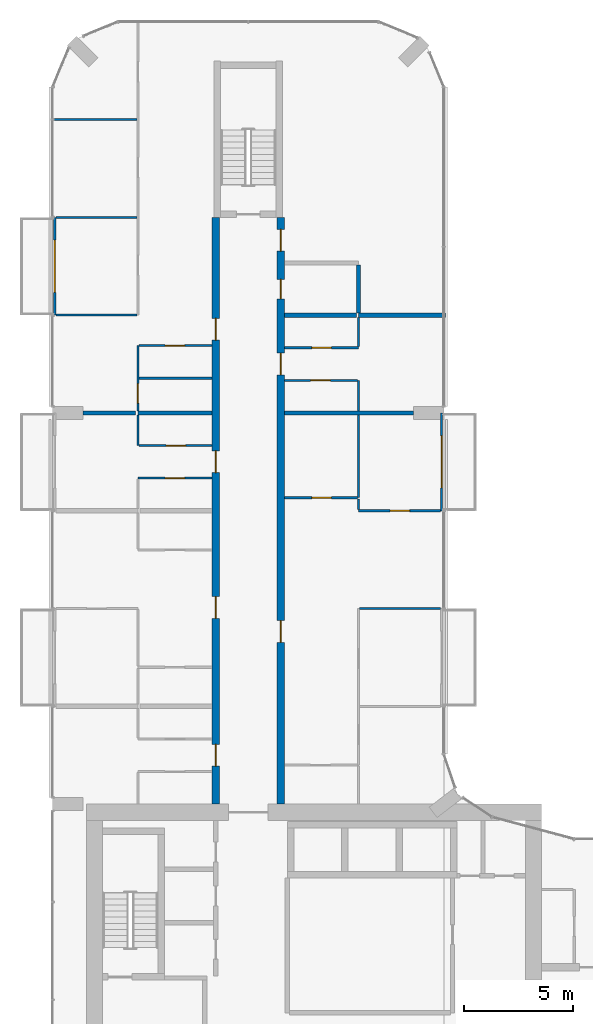
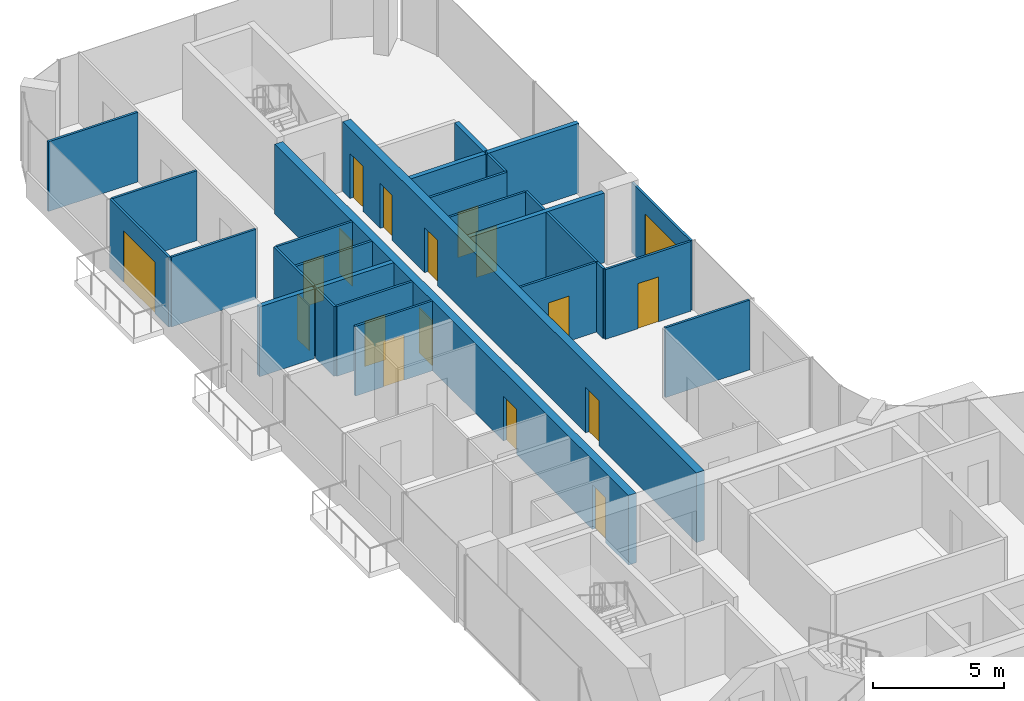
# One storey, part 16 of 23: 28 walls, 18 doors, 18 openings.
"""IFC4 building model written with IfcOpenShell, lengths in metres."""

import ifcopenshell
import ifcopenshell.guid

model = None  # the IFC model being written
_history = None  # IfcOwnerHistory: only IFC2X3 demands one
_inside = {}  # id of a spatial element -> (the spatial element, [elements in it])
_under = {}  # id of a project, library or spatial element -> (it, [spatial elements below it])
_declared = {}  # id of a project -> (the project, [libraries it declares])
_typed = {}  # id of a type object -> (the type object, [elements of that type])
_made_of = {}  # id of a material, layer set ... -> (it, [elements and type objects made of it])


def new_model(schema):
    """Start an empty IFC model of exactly this schema.

    Asked for "IFC4X3", IfcOpenShell would pick the latest addendum, in which some entities
    have other attributes; the version numbers below select the first issue.
    IFC2X3 requires an IfcOwnerHistory on every rooted entity: one is made here for all.
    """
    global model, _history
    if schema == "IFC4X3":
        model = ifcopenshell.file(schema_version=(4, 3, 0, 0))
    else:
        model = ifcopenshell.file(schema=schema)
    _inside.clear()
    _under.clear()
    _declared.clear()
    _typed.clear()
    _made_of.clear()
    _history = None
    if model.schema == "IFC2X3":
        org = make("IfcOrganization", Name="unknown")
        user = make(
            "IfcPersonAndOrganization",
            ThePerson=make("IfcPerson", FamilyName="unknown"),
            TheOrganization=org,
        )
        app = make(
            "IfcApplication",
            ApplicationDeveloper=org,
            Version="unknown",
            ApplicationFullName="unknown",
            ApplicationIdentifier="unknown",
        )
        _history = make(
            "IfcOwnerHistory",
            OwningUser=user,
            OwningApplication=app,
            ChangeAction="ADDED",
            CreationDate=0,
        )
    return model


def make(cls, **values):
    """One entity of the class cls with the attributes given. An attribute that is None is left unset."""
    return model.create_entity(
        cls, **{name: value for name, value in values.items() if value is not None}
    )


def rooted(cls, **values):
    """An entity with a GlobalId (a new one), such as an element, a storey or a relation."""
    return make(cls, GlobalId=ifcopenshell.guid.new(), OwnerHistory=_history, **values)


def si_unit(unit_type, name, prefix=None):
    """IfcSIUnit, for example si_unit("LENGTHUNIT", "METRE", prefix="MILLI")."""
    return make("IfcSIUnit", UnitType=unit_type, Prefix=prefix, Name=name)


def assignment(units):
    """IfcUnitAssignment: the units of a project."""
    return None if units is None else make("IfcUnitAssignment", Units=units)


def point(xyz):
    """IfcCartesianPoint."""
    return None if xyz is None else make("IfcCartesianPoint", Coordinates=xyz)


def direction(xyz):
    """IfcDirection."""
    return None if xyz is None else make("IfcDirection", DirectionRatios=xyz)


def frame(location, z_axis=None, x_axis=None):
    """IfcAxis2Placement3D, a coordinate frame: its origin and axes. An axis left out is left unset."""
    return make(
        "IfcAxis2Placement3D",
        Location=point(location),
        Axis=direction(z_axis),
        RefDirection=direction(x_axis),
    )


def frame_2d(location, x_axis=None):
    """IfcAxis2Placement2D, a coordinate frame in the plane: its origin and x axis."""
    return make(
        "IfcAxis2Placement2D", Location=point(location), RefDirection=direction(x_axis)
    )


def origin():
    """The frame at (0, 0, 0) with its axes left unset."""
    return frame((0.0, 0.0, 0.0))


def place(relative_to, where):
    """IfcLocalPlacement: puts the frame where relative to a parent placement (None: the world)."""
    return make(
        "IfcLocalPlacement", PlacementRelTo=relative_to, RelativePlacement=where
    )


def context(
    kind, dimensions, precision=None, world=None, true_north=None, identifier=None
):
    """IfcGeometricRepresentationContext, for example the 3D "Model" context."""
    return make(
        "IfcGeometricRepresentationContext",
        ContextIdentifier=identifier,
        ContextType=kind,
        CoordinateSpaceDimension=dimensions,
        Precision=precision,
        WorldCoordinateSystem=world,
        TrueNorth=true_north,
    )


def subcontext(parent, identifier, kind, view, scale=None):
    """IfcGeometricRepresentationSubContext, for example "Body" below "Model"."""
    return make(
        "IfcGeometricRepresentationSubContext",
        ContextIdentifier=identifier,
        ContextType=kind,
        ParentContext=parent,
        TargetScale=scale,
        TargetView=view,
    )


def project(units=None, contexts=None):
    """IfcProject with its units and contexts."""
    return rooted(
        "IfcProject",
        Name="project",
        RepresentationContexts=contexts,
        UnitsInContext=assignment(units),
    )


def spatial(cls, under=None, at=None, **own):
    """A site, building, storey or space (cls), placed at a placement, below another one or the project."""
    s = rooted(cls, ObjectPlacement=at, **own)
    if under is not None:
        _under.setdefault(under.id(), (under, []))[1].append(s)
    return s


def profile(cls, at=None, kind="AREA", **sizes):
    """A parametric profile (cls). Its sizes go by their IFC names, for example OverallWidth=200.0."""
    return make(cls, ProfileType=kind, Position=at, **sizes)


def rectangle(**sizes):
    """IfcRectangleProfileDef."""
    return profile("IfcRectangleProfileDef", **sizes)


def extrude(swept, where, along, depth):
    """IfcExtrudedAreaSolid: the profile swept, set in the frame where, extruded along a direction by depth."""
    return make(
        "IfcExtrudedAreaSolid",
        SweptArea=swept,
        Position=where,
        ExtrudedDirection=direction(along),
        Depth=depth,
    )


def shape(context_of_items, identifier, shape_type, items):
    """IfcShapeRepresentation: the items that make up one representation, for example the "Body"."""
    return make(
        "IfcShapeRepresentation",
        ContextOfItems=context_of_items,
        RepresentationIdentifier=identifier,
        RepresentationType=shape_type,
        Items=items,
    )


def material(Name=None, Category=None):
    """IfcMaterial."""
    return make("IfcMaterial", Name=Name, Category=Category)


def layer(
    of_material, thickness, ventilated=None, Name=None, Category=None, Priority=None
):
    """IfcMaterialLayer: one layer of a wall or slab, of a material (None: an air gap)."""
    return make(
        "IfcMaterialLayer",
        Material=of_material,
        LayerThickness=thickness,
        IsVentilated=ventilated,
        Name=Name,
        Category=Category,
        Priority=Priority,
    )


def layer_set(layers, Name=None):
    """IfcMaterialLayerSet."""
    return make("IfcMaterialLayerSet", MaterialLayers=layers, LayerSetName=Name)


def made_of(thing, what):
    """Note that an element or type object is made of a material, layer set ...; save() writes the relation."""
    if what is not None:
        _made_of.setdefault(what.id(), (what, []))[1].append(thing)
    return thing


def type_object(cls, material=None, **own):
    """A type object (cls), such as IfcWallType, which elements share."""
    return made_of(rooted(cls, **own), material)


def element(
    cls,
    number,
    at=None,
    inside=None,
    cuts=None,
    type_object=None,
    material=None,
    context=None,
    identifier="Body",
    shape_type=None,
    held_by="IfcProductDefinitionShape",
    body=None,
    shapes=None,
    **own,
):
    """One element of the class cls, such as IfcWall. Its Tag is "e" and its number.

    at: its placement. inside: the storey or other place that contains it. cuts: it is an
    opening in that element (IfcRelVoidsElement). A single representation is given by context,
    identifier, shape_type and body (its items); several are given by shapes. held_by: the class
    of the entity that holds the representations. save() writes the other relations.
    """
    e = rooted(cls, Tag="e%d" % number, ObjectPlacement=at, **own)
    if body is not None:
        shapes = [shape(context, identifier, shape_type, body)]
    if shapes is not None:
        e.Representation = make(held_by, Representations=shapes)
    if inside is not None:
        _inside.setdefault(inside.id(), (inside, []))[1].append(e)
    if cuts is not None:
        rooted(
            "IfcRelVoidsElement", RelatingBuildingElement=cuts, RelatedOpeningElement=e
        )
    if type_object is not None:
        _typed.setdefault(type_object.id(), (type_object, []))[1].append(e)
    return made_of(e, material)


def fill(opening, filler):
    """IfcRelFillsElement: the door or window that sits in an opening."""
    return rooted(
        "IfcRelFillsElement",
        RelatingOpeningElement=opening,
        RelatedBuildingElement=filler,
    )


def aggregate(whole, parts):
    """IfcRelAggregates: a whole, such as a stair, and the parts it consists of."""
    return rooted("IfcRelAggregates", RelatingObject=whole, RelatedObjects=parts)


def save(model, path):
    """Write the relations noted so far, then the file.

    IfcRelAggregates (storeys below a building ...), IfcRelContainedInSpatialStructure (elements
    in a storey), IfcRelDefinesByType, IfcRelAssociatesMaterial and IfcRelDeclares: one each for
    every whole, place, type object, material and project.
    """
    for whole, parts in _under.values():
        aggregate(whole, parts)
    for where, things in _inside.values():
        rooted(
            "IfcRelContainedInSpatialStructure",
            RelatedElements=things,
            RelatingStructure=where,
        )
    for kind, things in _typed.values():
        rooted("IfcRelDefinesByType", RelatedObjects=things, RelatingType=kind)
    for what, things in _made_of.values():
        rooted("IfcRelAssociatesMaterial", RelatedObjects=things, RelatingMaterial=what)
    for by, libraries in _declared.values():
        rooted("IfcRelDeclares", RelatingContext=by, RelatedDefinitions=libraries)
    model.write(path)


model = new_model("IFC4")

# Units and contexts
model_context = context("Model", 3, precision=1e-05, world=origin(), true_north=direction((0.0, 1.0)))
body_context = subcontext(model_context, "Body", "Model", "MODEL_VIEW")
ifc_project = project(units=[si_unit("LENGTHUNIT", "METRE"), si_unit("AREAUNIT", "SQUARE_METRE"), si_unit("VOLUMEUNIT", "CUBIC_METRE"), si_unit("PLANEANGLEUNIT", "RADIAN"), si_unit("MASSUNIT", "GRAM", prefix="KILO")], contexts=[model_context])

# Site, building, storey
site_placement = place(None, origin())
site = spatial("IfcSite", under=ifc_project, at=site_placement, CompositionType="ELEMENT")
building_placement = place(site_placement, origin())
building = spatial("IfcBuilding", under=site, at=building_placement, Name="Plateau Cross Towers", CompositionType="ELEMENT")
storey_placement = place(building_placement, frame((0.0, 0.0, 40.800048828125)))
storey = spatial("IfcBuildingStorey", under=building, at=storey_placement, Name="L09", CompositionType="ELEMENT", Elevation=40.800048828125)

# Wall, opening, door
ifc_material_1 = material(Name="Aluminium framed glazing", Category="aluminium")
ifc_layer_1 = layer(ifc_material_1, 0.10009765625)
ifc_layer_set_1 = layer_set([ifc_layer_1], Name="Aluminium framed glazing")
wall_type_1 = type_object("IfcWallType", Name="Balcony screen wall 100", PredefinedType="STANDARD", material=ifc_layer_set_1)
wall_1_placement = place(storey_placement, frame((0.10009765625, 40.5, 0.0), z_axis=(0.0, 0.0, 1.0), x_axis=(0.0, 1.0, 0.0)))
wall_1 = element("IfcWall", 1, at=wall_1_placement, inside=storey, type_object=wall_type_1, Name="Balcony screen wall A-BAL-L09-03", PredefinedType="STANDARD", context=body_context, shape_type="SweptSolid", body=[
    extrude(rectangle(XDim=4.5, YDim=0.10009765625, at=frame_2d((2.25, 0.0))), origin(), (0.0, 0.0, 1.0), 3.25),
])
opening_1_placement = place(wall_1_placement, frame((1.050048828125, 0.0, 0.0)))
opening_1 = element("IfcOpeningElement", 2, at=opening_1_placement, cuts=wall_1, Name="Opening D-B24", PredefinedType="OPENING", context=body_context, shape_type="SweptSolid", body=[
    extrude(rectangle(XDim=2.39990234375, YDim=2.39990234375, at=frame_2d((1.199951171875, 1.199951171875))), frame((0.0, 0.06005859375, 0.0), z_axis=(0.0, -1.0, 0.0), x_axis=(1.0, 0.0, 0.0)), (0.0, 0.0, 1.0), 0.1201171875),
])
ifc_material_2 = material(Name="Aluminium frame, double glazing", Category="aluminium")
door_type_1 = type_object("IfcDoorType", Name="Balcony sliding door 2400", OperationType="NOTDEFINED", PredefinedType="DOOR", material=ifc_material_2)
door_1_placement = place(opening_1_placement, origin())
door_1 = element("IfcDoor", 3, at=door_1_placement, inside=storey, type_object=door_type_1, Name="Balcony door A-BAL-L09-03", OperationType="SINGLE_SWING_LEFT", OverallHeight=2.39990234375, OverallWidth=2.39990234375, PredefinedType="DOOR", context=body_context, shape_type="SweptSolid", body=[
    extrude(rectangle(XDim=2.39990234375, YDim=2.39990234375, at=frame_2d((1.199951171875, 1.199951171875))), frame((0.0, 0.02490234375, 0.0), z_axis=(0.0, -1.0, 0.0), x_axis=(1.0, 0.0, 0.0)), (0.0, 0.0, 1.0), 0.050048828125),
])
fill(opening_1, door_1)

wall_2_placement = place(storey_placement, frame((17.89990234375, 36.0, 0.0), z_axis=(0.0, 0.0, 1.0), x_axis=(0.0, -1.0, 0.0)))
wall_2 = element("IfcWall", 4, at=wall_2_placement, inside=storey, type_object=wall_type_1, Name="Balcony screen wall A-BAL-L09-05", PredefinedType="STANDARD", context=body_context, shape_type="SweptSolid", body=[
    extrude(rectangle(XDim=4.5, YDim=0.10009765625, at=frame_2d((2.25, 0.0))), origin(), (0.0, 0.0, 1.0), 3.25),
])
opening_2_placement = place(wall_2_placement, frame((1.050048828125, 0.0, 0.0)))
opening_2 = element("IfcOpeningElement", 5, at=opening_2_placement, cuts=wall_2, Name="Opening D-B24", PredefinedType="OPENING", context=body_context, shape_type="SweptSolid", body=[
    extrude(rectangle(XDim=2.39990234375, YDim=2.39990234375, at=frame_2d((1.199951171875, 1.199951171875))), frame((0.0, 0.06005859375, 0.0), z_axis=(0.0, -1.0, 0.0), x_axis=(1.0, 0.0, 0.0)), (0.0, 0.0, 1.0), 0.1201171875),
])
door_2_placement = place(opening_2_placement, origin())
door_2 = element("IfcDoor", 6, at=door_2_placement, inside=storey, type_object=door_type_1, Name="Balcony door A-BAL-L09-05", OperationType="SINGLE_SWING_LEFT", OverallHeight=2.39990234375, OverallWidth=2.39990234375, PredefinedType="DOOR", context=body_context, shape_type="SweptSolid", body=[
    extrude(rectangle(XDim=2.39990234375, YDim=2.39990234375, at=frame_2d((1.199951171875, 1.199951171875))), frame((0.0, 0.02490234375, 0.0), z_axis=(0.0, -1.0, 0.0), x_axis=(1.0, 0.0, 0.0)), (0.0, 0.0, 1.0), 0.050048828125),
])
fill(opening_2, door_2)

# Wall, openings, doors
ifc_material_3 = material(Name="Concrete C60/75", Category="concrete")
ifc_layer_2 = layer(ifc_material_3, 0.35009765625)
ifc_layer_set_2 = layer_set([ifc_layer_2], Name="Concrete C60/75")
wall_type_2 = type_object("IfcWallType", Name="Corridor wall 350", PredefinedType="SHEAR", material=ifc_layer_set_2)
wall_3_placement = place(storey_placement, frame((7.5, 18.0, 0.0), z_axis=(0.0, 0.0, 1.0), x_axis=(0.0, 1.0, 0.0)))
wall_3 = element("IfcWall", 7, at=wall_3_placement, inside=storey, type_object=wall_type_2, Name="A-cw-W1@L09", PredefinedType="SHEAR", context=body_context, shape_type="SweptSolid", body=[
    extrude(rectangle(XDim=27.0, YDim=0.35009765625, at=frame_2d((13.5, 0.0))), origin(), (0.0, 0.0, 1.0), 3.25),
])
opening_3_placement = place(wall_3_placement, frame((1.75, 0.0, 0.0)))
opening_3 = element("IfcOpeningElement", 8, at=opening_3_placement, cuts=wall_3, Name="Opening 09-09", PredefinedType="OPENING", context=body_context, shape_type="SweptSolid", body=[
    extrude(rectangle(XDim=1.0, YDim=2.10009765625, at=frame_2d((0.5, 1.050048828125))), frame((0.0, 0.18505859375, 0.0), z_axis=(0.0, -1.0, 0.0), x_axis=(1.0, 0.0, 0.0)), (0.0, 0.0, 1.0), 0.3701171875),
])
opening_4_placement = place(wall_3_placement, frame((8.550048828125, 0.0, 0.0)))
opening_4 = element("IfcOpeningElement", 9, at=opening_4_placement, cuts=wall_3, Name="Opening 09-10", PredefinedType="OPENING", context=body_context, shape_type="SweptSolid", body=[
    extrude(rectangle(XDim=1.0, YDim=2.10009765625, at=frame_2d((0.5, 1.050048828125))), frame((0.0, 0.18505859375, 0.0), z_axis=(0.0, -1.0, 0.0), x_axis=(1.0, 0.0, 0.0)), (0.0, 0.0, 1.0), 0.3701171875),
])
opening_5_placement = place(wall_3_placement, frame((15.25, 0.0, 0.0)))
opening_5 = element("IfcOpeningElement", 10, at=opening_5_placement, cuts=wall_3, Name="Opening 09-11", PredefinedType="OPENING", context=body_context, shape_type="SweptSolid", body=[
    extrude(rectangle(XDim=1.0, YDim=2.10009765625, at=frame_2d((0.5, 1.050048828125))), frame((0.0, 0.18505859375, 0.0), z_axis=(0.0, -1.0, 0.0), x_axis=(1.0, 0.0, 0.0)), (0.0, 0.0, 1.0), 0.3701171875),
])
opening_6_placement = place(wall_3_placement, frame((21.35009765625, 0.0, 0.0)))
opening_6 = element("IfcOpeningElement", 11, at=opening_6_placement, cuts=wall_3, Name="Opening 09-12", PredefinedType="OPENING", context=body_context, shape_type="SweptSolid", body=[
    extrude(rectangle(XDim=1.0, YDim=2.10009765625, at=frame_2d((0.5, 1.050048828125))), frame((0.0, 0.18505859375, 0.0), z_axis=(0.0, -1.0, 0.0), x_axis=(1.0, 0.0, 0.0)), (0.0, 0.0, 1.0), 0.3701171875),
])
ifc_material_4 = material(Name="Timber, fire-resisting leaf", Category="wood")
door_type_2 = type_object("IfcDoorType", Name="Flat entrance door 1000", OperationType="NOTDEFINED", PredefinedType="DOOR", material=ifc_material_4)
door_3_placement = place(opening_3_placement, origin())
door_3 = element("IfcDoor", 12, at=door_3_placement, inside=storey, type_object=door_type_2, Name="Door 09-09", OperationType="SINGLE_SWING_LEFT", OverallHeight=2.10009765625, OverallWidth=1.0, PredefinedType="DOOR", context=body_context, shape_type="SweptSolid", body=[
    extrude(rectangle(XDim=1.0, YDim=2.10009765625, at=frame_2d((0.5, 1.050048828125))), frame((0.0, 0.02490234375, 0.0), z_axis=(0.0, -1.0, 0.0), x_axis=(1.0, 0.0, 0.0)), (0.0, 0.0, 1.0), 0.050048828125),
])
fill(opening_3, door_3)
door_4_placement = place(opening_4_placement, origin())
door_4 = element("IfcDoor", 13, at=door_4_placement, inside=storey, type_object=door_type_2, Name="Door 09-10", OperationType="SINGLE_SWING_LEFT", OverallHeight=2.10009765625, OverallWidth=1.0, PredefinedType="DOOR", context=body_context, shape_type="SweptSolid", body=[
    extrude(rectangle(XDim=1.0, YDim=2.10009765625, at=frame_2d((0.5, 1.050048828125))), frame((0.0, 0.02490234375, 0.0), z_axis=(0.0, -1.0, 0.0), x_axis=(1.0, 0.0, 0.0)), (0.0, 0.0, 1.0), 0.050048828125),
])
fill(opening_4, door_4)
door_5_placement = place(opening_5_placement, origin())
door_5 = element("IfcDoor", 14, at=door_5_placement, inside=storey, type_object=door_type_2, Name="Door 09-11", OperationType="SINGLE_SWING_RIGHT", OverallHeight=2.10009765625, OverallWidth=1.0, PredefinedType="DOOR", context=body_context, shape_type="SweptSolid", body=[
    extrude(rectangle(XDim=1.0, YDim=2.10009765625, at=frame_2d((0.5, 1.050048828125))), frame((0.0, 0.02490234375, 0.0), z_axis=(0.0, -1.0, 0.0), x_axis=(1.0, 0.0, 0.0)), (0.0, 0.0, 1.0), 0.050048828125),
])
fill(opening_5, door_5)
door_6_placement = place(opening_6_placement, origin())
door_6 = element("IfcDoor", 15, at=door_6_placement, inside=storey, type_object=door_type_2, Name="Door 09-12", OperationType="SINGLE_SWING_RIGHT", OverallHeight=2.10009765625, OverallWidth=1.0, PredefinedType="DOOR", context=body_context, shape_type="SweptSolid", body=[
    extrude(rectangle(XDim=1.0, YDim=2.10009765625, at=frame_2d((0.5, 1.050048828125))), frame((0.0, 0.02490234375, 0.0), z_axis=(0.0, -1.0, 0.0), x_axis=(1.0, 0.0, 0.0)), (0.0, 0.0, 1.0), 0.050048828125),
])
fill(opening_6, door_6)

wall_4_placement = place(storey_placement, frame((10.5, 18.0, 0.0), z_axis=(0.0, 0.0, 1.0), x_axis=(0.0, 1.0, 0.0)))
wall_4 = element("IfcWall", 16, at=wall_4_placement, inside=storey, type_object=wall_type_2, Name="A-cw-W2@L09", PredefinedType="SHEAR", context=body_context, shape_type="SweptSolid", body=[
    extrude(rectangle(XDim=27.0, YDim=0.35009765625, at=frame_2d((13.5, 0.0))), origin(), (0.0, 0.0, 1.0), 3.25),
])
opening_7_placement = place(wall_4_placement, frame((7.449951171875, 0.0, 0.0)))
opening_7 = element("IfcOpeningElement", 17, at=opening_7_placement, cuts=wall_4, Name="Opening 09-13", PredefinedType="OPENING", context=body_context, shape_type="SweptSolid", body=[
    extrude(rectangle(XDim=1.0, YDim=2.10009765625, at=frame_2d((0.5, 1.050048828125))), frame((0.0, 0.18505859375, 0.0), z_axis=(0.0, -1.0, 0.0), x_axis=(1.0, 0.0, 0.0)), (0.0, 0.0, 1.0), 0.3701171875),
])
opening_8_placement = place(wall_4_placement, frame((19.75, 0.0, 0.0)))
opening_8 = element("IfcOpeningElement", 18, at=opening_8_placement, cuts=wall_4, Name="Opening 09-14", PredefinedType="OPENING", context=body_context, shape_type="SweptSolid", body=[
    extrude(rectangle(XDim=1.0, YDim=2.10009765625, at=frame_2d((0.5, 1.050048828125))), frame((0.0, 0.18505859375, 0.0), z_axis=(0.0, -1.0, 0.0), x_axis=(1.0, 0.0, 0.0)), (0.0, 0.0, 1.0), 0.3701171875),
])
opening_9_placement = place(wall_4_placement, frame((23.25, 0.0, 0.0)))
opening_9 = element("IfcOpeningElement", 19, at=opening_9_placement, cuts=wall_4, Name="Opening 09-15", PredefinedType="OPENING", context=body_context, shape_type="SweptSolid", body=[
    extrude(rectangle(XDim=0.89990234375, YDim=2.10009765625, at=frame_2d((0.449951171875, 1.050048828125))), frame((0.0, 0.18505859375, 0.0), z_axis=(0.0, -1.0, 0.0), x_axis=(1.0, 0.0, 0.0)), (0.0, 0.0, 1.0), 0.3701171875),
])
opening_10_placement = place(wall_4_placement, frame((25.449951171875, 0.0, 0.0)))
opening_10 = element("IfcOpeningElement", 20, at=opening_10_placement, cuts=wall_4, Name="Opening 09-16", PredefinedType="OPENING", context=body_context, shape_type="SweptSolid", body=[
    extrude(rectangle(XDim=1.0, YDim=2.10009765625, at=frame_2d((0.5, 1.050048828125))), frame((0.0, 0.18505859375, 0.0), z_axis=(0.0, -1.0, 0.0), x_axis=(1.0, 0.0, 0.0)), (0.0, 0.0, 1.0), 0.3701171875),
])
door_7_placement = place(opening_7_placement, origin())
door_7 = element("IfcDoor", 21, at=door_7_placement, inside=storey, type_object=door_type_2, Name="Door 09-13", OperationType="SINGLE_SWING_LEFT", OverallHeight=2.10009765625, OverallWidth=1.0, PredefinedType="DOOR", context=body_context, shape_type="SweptSolid", body=[
    extrude(rectangle(XDim=1.0, YDim=2.10009765625, at=frame_2d((0.5, 1.050048828125))), frame((0.0, 0.02490234375, 0.0), z_axis=(0.0, -1.0, 0.0), x_axis=(1.0, 0.0, 0.0)), (0.0, 0.0, 1.0), 0.050048828125),
])
fill(opening_7, door_7)
door_8_placement = place(opening_8_placement, origin())
door_8 = element("IfcDoor", 22, at=door_8_placement, inside=storey, type_object=door_type_2, Name="Door 09-14", OperationType="SINGLE_SWING_RIGHT", OverallHeight=2.10009765625, OverallWidth=1.0, PredefinedType="DOOR", context=body_context, shape_type="SweptSolid", body=[
    extrude(rectangle(XDim=1.0, YDim=2.10009765625, at=frame_2d((0.5, 1.050048828125))), frame((0.0, 0.02490234375, 0.0), z_axis=(0.0, -1.0, 0.0), x_axis=(1.0, 0.0, 0.0)), (0.0, 0.0, 1.0), 0.050048828125),
])
fill(opening_8, door_8)
door_9_placement = place(opening_10_placement, origin())
door_9 = element("IfcDoor", 23, at=door_9_placement, inside=storey, type_object=door_type_2, Name="Door 09-16", OperationType="SINGLE_SWING_RIGHT", OverallHeight=2.10009765625, OverallWidth=1.0, PredefinedType="DOOR", context=body_context, shape_type="SweptSolid", body=[
    extrude(rectangle(XDim=1.0, YDim=2.10009765625, at=frame_2d((0.5, 1.050048828125))), frame((0.0, 0.02490234375, 0.0), z_axis=(0.0, -1.0, 0.0), x_axis=(1.0, 0.0, 0.0)), (0.0, 0.0, 1.0), 0.050048828125),
])
fill(opening_10, door_9)
door_type_3 = type_object("IfcDoorType", Name="Flat floor service door 900", OperationType="NOTDEFINED", PredefinedType="DOOR", material=ifc_material_4)
door_10_placement = place(opening_9_placement, origin())
door_10 = element("IfcDoor", 24, at=door_10_placement, inside=storey, type_object=door_type_3, Name="Door 09-15", OperationType="SINGLE_SWING_RIGHT", OverallHeight=2.10009765625, OverallWidth=0.89990234375, PredefinedType="DOOR", context=body_context, shape_type="SweptSolid", body=[
    extrude(rectangle(XDim=0.89990234375, YDim=2.10009765625, at=frame_2d((0.449951171875, 1.050048828125))), frame((0.0, 0.02490234375, 0.0), z_axis=(0.0, -1.0, 0.0), x_axis=(1.0, 0.0, 0.0)), (0.0, 0.0, 1.0), 0.050048828125),
])
fill(opening_9, door_10)

# Wall
ifc_material_5 = material(Name="Gypsum board on steel studs", Category="steel")
ifc_layer_3 = layer(ifc_material_5, 0.10009765625)
ifc_layer_set_3 = layer_set([ifc_layer_3], Name="Gypsum board on steel studs")
wall_type_3 = type_object("IfcWallType", Name="Flat partition 100", PredefinedType="PARTITIONING", material=ifc_layer_set_3)
wall_5_placement = place(storey_placement, frame((17.85009765625, 27.0, 0.0), z_axis=(0.0, 0.0, 1.0), x_axis=(-1.0, 0.0, 0.0)))
element("IfcWall", 25, at=wall_5_placement, inside=storey, type_object=wall_type_3, Name="Partition wall", PredefinedType="PARTITIONING", context=body_context, shape_type="SweptSolid", body=[
    extrude(rectangle(XDim=3.72509765625, YDim=0.10009765625, at=frame_2d((1.862548828125, 0.0))), origin(), (0.0, 0.0, 1.0), 3.25),
])

# Wall, opening, door
wall_6_placement = place(storey_placement, frame((14.074951171875, 31.5, 0.0), z_axis=(0.0, 0.0, 1.0), x_axis=(1.0, 0.0, 0.0)))
wall_6 = element("IfcWall", 26, at=wall_6_placement, inside=storey, type_object=wall_type_3, Name="Partition wall", PredefinedType="PARTITIONING", context=body_context, shape_type="SweptSolid", body=[
    extrude(rectangle(XDim=3.775146484375, YDim=0.10009765625, at=frame_2d((1.8876953125, 0.0))), origin(), (0.0, 0.0, 1.0), 3.25),
])
opening_11_placement = place(wall_6_placement, frame((1.449951171875, 0.0, 0.0)))
opening_11 = element("IfcOpeningElement", 27, at=opening_11_placement, cuts=wall_6, Name="Opening 09-48", PredefinedType="OPENING", context=body_context, shape_type="SweptSolid", body=[
    extrude(rectangle(XDim=0.89990234375, YDim=2.10009765625, at=frame_2d((0.449951171875, 1.050048828125))), frame((0.0, 0.06005859375, 0.0), z_axis=(0.0, -1.0, 0.0), x_axis=(1.0, 0.0, 0.0)), (0.0, 0.0, 1.0), 0.1201171875),
])
ifc_material_6 = material(Name="Timber leaf", Category="wood")
door_type_4 = type_object("IfcDoorType", Name="Flat room door 900", OperationType="NOTDEFINED", PredefinedType="DOOR", material=ifc_material_6)
door_11_placement = place(opening_11_placement, origin())
door_11 = element("IfcDoor", 28, at=door_11_placement, inside=storey, type_object=door_type_4, Name="Door 09-48", OperationType="SINGLE_SWING_RIGHT", OverallHeight=2.10009765625, OverallWidth=0.89990234375, PredefinedType="DOOR", context=body_context, shape_type="SweptSolid", body=[
    extrude(rectangle(XDim=0.89990234375, YDim=2.10009765625, at=frame_2d((0.449951171875, 1.050048828125))), frame((0.0, 0.02490234375, 0.0), z_axis=(0.0, -1.0, 0.0), x_axis=(1.0, 0.0, 0.0)), (0.0, 0.0, 1.0), 0.050048828125),
])
fill(opening_11, door_11)

wall_7_placement = place(storey_placement, frame((10.675048828125, 32.10009765625, 0.0), z_axis=(0.0, 0.0, 1.0), x_axis=(1.0, 0.0, 0.0)))
wall_7 = element("IfcWall", 29, at=wall_7_placement, inside=storey, type_object=wall_type_3, Name="Partition wall", PredefinedType="PARTITIONING", context=body_context, shape_type="SweptSolid", body=[
    extrude(rectangle(XDim=3.349853515625, YDim=0.10009765625, at=frame_2d((1.6748046875, 0.0))), origin(), (0.0, 0.0, 1.0), 3.25),
])
opening_12_placement = place(wall_7_placement, frame((1.25, 0.0, 0.0)))
opening_12 = element("IfcOpeningElement", 30, at=opening_12_placement, cuts=wall_7, Name="Opening 09-45", PredefinedType="OPENING", context=body_context, shape_type="SweptSolid", body=[
    extrude(rectangle(XDim=0.89990234375, YDim=2.10009765625, at=frame_2d((0.449951171875, 1.050048828125))), frame((0.0, 0.06005859375, 0.0), z_axis=(0.0, -1.0, 0.0), x_axis=(1.0, 0.0, 0.0)), (0.0, 0.0, 1.0), 0.1201171875),
])
door_12_placement = place(opening_12_placement, origin())
door_12 = element("IfcDoor", 31, at=door_12_placement, inside=storey, type_object=door_type_4, Name="Door 09-45", OperationType="SINGLE_SWING_RIGHT", OverallHeight=2.10009765625, OverallWidth=0.89990234375, PredefinedType="DOOR", context=body_context, shape_type="SweptSolid", body=[
    extrude(rectangle(XDim=0.89990234375, YDim=2.10009765625, at=frame_2d((0.449951171875, 1.050048828125))), frame((0.0, 0.02490234375, 0.0), z_axis=(0.0, -1.0, 0.0), x_axis=(1.0, 0.0, 0.0)), (0.0, 0.0, 1.0), 0.050048828125),
])
fill(opening_12, door_12)

wall_8_placement = place(storey_placement, frame((7.324951171875, 33.0, 0.0), z_axis=(0.0, 0.0, 1.0), x_axis=(-1.0, 0.0, 0.0)))
wall_8 = element("IfcWall", 32, at=wall_8_placement, inside=storey, type_object=wall_type_3, Name="Partition wall", PredefinedType="PARTITIONING", context=body_context, shape_type="SweptSolid", body=[
    extrude(rectangle(XDim=3.39990234375, YDim=0.10009765625, at=frame_2d((1.699951171875, 0.0))), origin(), (0.0, 0.0, 1.0), 3.25),
])
opening_13_placement = place(wall_8_placement, frame((1.25, 0.0, 0.0)))
opening_13 = element("IfcOpeningElement", 33, at=opening_13_placement, cuts=wall_8, Name="Opening 09-37", PredefinedType="OPENING", context=body_context, shape_type="SweptSolid", body=[
    extrude(rectangle(XDim=0.89990234375, YDim=2.10009765625, at=frame_2d((0.449951171875, 1.050048828125))), frame((0.0, 0.06005859375, 0.0), z_axis=(0.0, -1.0, 0.0), x_axis=(1.0, 0.0, 0.0)), (0.0, 0.0, 1.0), 0.1201171875),
])
door_13_placement = place(opening_13_placement, origin())
door_13 = element("IfcDoor", 34, at=door_13_placement, inside=storey, type_object=door_type_4, Name="Door 09-37", OperationType="SINGLE_SWING_LEFT", OverallHeight=2.10009765625, OverallWidth=0.89990234375, PredefinedType="DOOR", context=body_context, shape_type="SweptSolid", body=[
    extrude(rectangle(XDim=0.89990234375, YDim=2.10009765625, at=frame_2d((0.449951171875, 1.050048828125))), frame((0.0, 0.02490234375, 0.0), z_axis=(0.0, -1.0, 0.0), x_axis=(1.0, 0.0, 0.0)), (0.0, 0.0, 1.0), 0.050048828125),
])
fill(opening_13, door_13)

wall_9_placement = place(storey_placement, frame((3.97509765625, 34.5, 0.0), z_axis=(0.0, 0.0, 1.0), x_axis=(1.0, 0.0, 0.0)))
wall_9 = element("IfcWall", 35, at=wall_9_placement, inside=storey, type_object=wall_type_3, Name="Partition wall", PredefinedType="PARTITIONING", context=body_context, shape_type="SweptSolid", body=[
    extrude(rectangle(XDim=3.349853515625, YDim=0.10009765625, at=frame_2d((1.6748046875, 0.0))), origin(), (0.0, 0.0, 1.0), 3.25),
])
opening_14_placement = place(wall_9_placement, frame((1.25, 0.0, 0.0)))
opening_14 = element("IfcOpeningElement", 36, at=opening_14_placement, cuts=wall_9, Name="Opening 09-38", PredefinedType="OPENING", context=body_context, shape_type="SweptSolid", body=[
    extrude(rectangle(XDim=0.89990234375, YDim=2.10009765625, at=frame_2d((0.449951171875, 1.050048828125))), frame((0.0, 0.06005859375, 0.0), z_axis=(0.0, -1.0, 0.0), x_axis=(1.0, 0.0, 0.0)), (0.0, 0.0, 1.0), 0.1201171875),
])
door_14_placement = place(opening_14_placement, origin())
door_14 = element("IfcDoor", 37, at=door_14_placement, inside=storey, type_object=door_type_4, Name="Door 09-38", OperationType="SINGLE_SWING_RIGHT", OverallHeight=2.10009765625, OverallWidth=0.89990234375, PredefinedType="DOOR", context=body_context, shape_type="SweptSolid", body=[
    extrude(rectangle(XDim=0.89990234375, YDim=2.10009765625, at=frame_2d((0.449951171875, 1.050048828125))), frame((0.0, 0.02490234375, 0.0), z_axis=(0.0, -1.0, 0.0), x_axis=(1.0, 0.0, 0.0)), (0.0, 0.0, 1.0), 0.050048828125),
])
fill(opening_14, door_14)

wall_10_placement = place(storey_placement, frame((14.02490234375, 37.5, 0.0), z_axis=(0.0, 0.0, 1.0), x_axis=(-1.0, 0.0, 0.0)))
wall_10 = element("IfcWall", 38, at=wall_10_placement, inside=storey, type_object=wall_type_3, Name="Partition wall", PredefinedType="PARTITIONING", context=body_context, shape_type="SweptSolid", body=[
    extrude(rectangle(XDim=3.349853515625, YDim=0.10009765625, at=frame_2d((1.6748046875, 0.0))), origin(), (0.0, 0.0, 1.0), 3.25),
])
opening_15_placement = place(wall_10_placement, frame((1.25, 0.0, 0.0)))
opening_15 = element("IfcOpeningElement", 39, at=opening_15_placement, cuts=wall_10, Name="Opening 09-49", PredefinedType="OPENING", context=body_context, shape_type="SweptSolid", body=[
    extrude(rectangle(XDim=0.89990234375, YDim=2.10009765625, at=frame_2d((0.449951171875, 1.050048828125))), frame((0.0, 0.06005859375, 0.0), z_axis=(0.0, -1.0, 0.0), x_axis=(1.0, 0.0, 0.0)), (0.0, 0.0, 1.0), 0.1201171875),
])
door_15_placement = place(opening_15_placement, origin())
door_15 = element("IfcDoor", 40, at=door_15_placement, inside=storey, type_object=door_type_4, Name="Door 09-49", OperationType="SINGLE_SWING_RIGHT", OverallHeight=2.10009765625, OverallWidth=0.89990234375, PredefinedType="DOOR", context=body_context, shape_type="SweptSolid", body=[
    extrude(rectangle(XDim=0.89990234375, YDim=2.10009765625, at=frame_2d((0.449951171875, 1.050048828125))), frame((0.0, 0.02490234375, 0.0), z_axis=(0.0, -1.0, 0.0), x_axis=(1.0, 0.0, 0.0)), (0.0, 0.0, 1.0), 0.050048828125),
])
fill(opening_15, door_15)

# Wall
wall_11_placement = place(storey_placement, frame((7.324951171875, 37.60009765625, 0.0), z_axis=(0.0, 0.0, 1.0), x_axis=(-1.0, 0.0, 0.0)))
element("IfcWall", 41, at=wall_11_placement, inside=storey, type_object=wall_type_3, Name="Partition wall", PredefinedType="PARTITIONING", context=body_context, shape_type="SweptSolid", body=[
    extrude(rectangle(XDim=3.349853515625, YDim=0.10009765625, at=frame_2d((1.6748046875, 0.0))), origin(), (0.0, 0.0, 1.0), 3.25),
])

# Wall, opening, door
wall_12_placement = place(storey_placement, frame((10.675048828125, 39.0, 0.0), z_axis=(0.0, 0.0, 1.0), x_axis=(1.0, 0.0, 0.0)))
wall_12 = element("IfcWall", 42, at=wall_12_placement, inside=storey, type_object=wall_type_3, Name="Partition wall", PredefinedType="PARTITIONING", context=body_context, shape_type="SweptSolid", body=[
    extrude(rectangle(XDim=3.39990234375, YDim=0.10009765625, at=frame_2d((1.699951171875, 0.0))), origin(), (0.0, 0.0, 1.0), 3.25),
])
opening_16_placement = place(wall_12_placement, frame((1.25, 0.0, 0.0)))
opening_16 = element("IfcOpeningElement", 43, at=opening_16_placement, cuts=wall_12, Name="Opening 09-50", PredefinedType="OPENING", context=body_context, shape_type="SweptSolid", body=[
    extrude(rectangle(XDim=0.89990234375, YDim=2.10009765625, at=frame_2d((0.449951171875, 1.050048828125))), frame((0.0, 0.06005859375, 0.0), z_axis=(0.0, -1.0, 0.0), x_axis=(1.0, 0.0, 0.0)), (0.0, 0.0, 1.0), 0.1201171875),
])
door_16_placement = place(opening_16_placement, origin())
door_16 = element("IfcDoor", 44, at=door_16_placement, inside=storey, type_object=door_type_4, Name="Door 09-50", OperationType="SINGLE_SWING_RIGHT", OverallHeight=2.10009765625, OverallWidth=0.89990234375, PredefinedType="DOOR", context=body_context, shape_type="SweptSolid", body=[
    extrude(rectangle(XDim=0.89990234375, YDim=2.10009765625, at=frame_2d((0.449951171875, 1.050048828125))), frame((0.0, 0.02490234375, 0.0), z_axis=(0.0, -1.0, 0.0), x_axis=(1.0, 0.0, 0.0)), (0.0, 0.0, 1.0), 0.050048828125),
])
fill(opening_16, door_16)

wall_13_placement = place(storey_placement, frame((7.324951171875, 39.10009765625, 0.0), z_axis=(0.0, 0.0, 1.0), x_axis=(-1.0, 0.0, 0.0)))
wall_13 = element("IfcWall", 45, at=wall_13_placement, inside=storey, type_object=wall_type_3, Name="Partition wall", PredefinedType="PARTITIONING", context=body_context, shape_type="SweptSolid", body=[
    extrude(rectangle(XDim=3.349853515625, YDim=0.10009765625, at=frame_2d((1.6748046875, 0.0))), origin(), (0.0, 0.0, 1.0), 3.25),
])
opening_17_placement = place(wall_13_placement, frame((1.25, 0.0, 0.0)))
opening_17 = element("IfcOpeningElement", 46, at=opening_17_placement, cuts=wall_13, Name="Opening 09-40", PredefinedType="OPENING", context=body_context, shape_type="SweptSolid", body=[
    extrude(rectangle(XDim=0.89990234375, YDim=2.10009765625, at=frame_2d((0.449951171875, 1.050048828125))), frame((0.0, 0.06005859375, 0.0), z_axis=(0.0, -1.0, 0.0), x_axis=(1.0, 0.0, 0.0)), (0.0, 0.0, 1.0), 0.1201171875),
])
door_17_placement = place(opening_17_placement, origin())
door_17 = element("IfcDoor", 47, at=door_17_placement, inside=storey, type_object=door_type_4, Name="Door 09-40", OperationType="SINGLE_SWING_RIGHT", OverallHeight=2.10009765625, OverallWidth=0.89990234375, PredefinedType="DOOR", context=body_context, shape_type="SweptSolid", body=[
    extrude(rectangle(XDim=0.89990234375, YDim=2.10009765625, at=frame_2d((0.449951171875, 1.050048828125))), frame((0.0, 0.02490234375, 0.0), z_axis=(0.0, -1.0, 0.0), x_axis=(1.0, 0.0, 0.0)), (0.0, 0.0, 1.0), 0.050048828125),
])
fill(opening_17, door_17)

# Walls
for number, where, z_axis, x_axis, name in (
    (48, (0.14990234375, 40.5, 0.0), (0.0, 0.0, 1.0), (1.0, 0.0, 0.0), "Partition wall"),
    (49, (3.875, 45.0, 0.0), (0.0, 0.0, 1.0), (-1.0, 0.0, 0.0), "Partition wall"),
):
    element("IfcWall", number, at=place(storey_placement, frame(where, z_axis=z_axis, x_axis=x_axis)), inside=storey, type_object=wall_type_3, Name=name, PredefinedType="PARTITIONING", context=body_context, shape_type="SweptSolid", body=[
        extrude(rectangle(XDim=3.72509765625, YDim=0.10009765625, at=frame_2d((1.862548828125, 0.0))), origin(), (0.0, 0.0, 1.0), 3.25),
    ])
wall_14_placement = place(storey_placement, frame((3.875, 49.5, 0.0), z_axis=(0.0, 0.0, 1.0), x_axis=(-1.0, 0.0, 0.0)))
element("IfcWall", 50, at=wall_14_placement, inside=storey, type_object=wall_type_3, Name="Partition wall", PredefinedType="PARTITIONING", context=body_context, shape_type="SweptSolid", body=[
    extrude(rectangle(XDim=3.955078125, YDim=0.10009765625, at=frame_2d((1.9775390625, 0.0))), origin(), (0.0, 0.0, 1.0), 3.25),
])
wall_15_placement = place(storey_placement, frame((3.925048828125, 35.89990234375, 0.0), z_axis=(0.0, 0.0, 1.0), x_axis=(0.0, -1.0, 0.0)))
element("IfcWall", 51, at=wall_15_placement, inside=storey, type_object=wall_type_3, Name="Partition wall", PredefinedType="PARTITIONING", context=body_context, shape_type="SweptSolid", body=[
    extrude(rectangle(XDim=1.39990234375, YDim=0.10009765625, at=frame_2d((0.699951171875, 0.0))), origin(), (0.0, 0.0, 1.0), 3.25),
])

# Wall, opening, door
wall_16_placement = place(storey_placement, frame((3.925048828125, 39.10009765625, 0.0), z_axis=(0.0, 0.0, 1.0), x_axis=(0.0, -1.0, 0.0)))
wall_16 = element("IfcWall", 52, at=wall_16_placement, inside=storey, type_object=wall_type_3, Name="Partition wall", PredefinedType="PARTITIONING", context=body_context, shape_type="SweptSolid", body=[
    extrude(rectangle(XDim=3.0, YDim=0.10009765625, at=frame_2d((1.5, 0.0))), origin(), (0.0, 0.0, 1.0), 3.25),
])
opening_18_placement = place(wall_16_placement, frame((1.75, 0.0, 0.0)))
opening_18 = element("IfcOpeningElement", 53, at=opening_18_placement, cuts=wall_16, Name="Opening 09-39", PredefinedType="OPENING", context=body_context, shape_type="SweptSolid", body=[
    extrude(rectangle(XDim=0.89990234375, YDim=2.10009765625, at=frame_2d((0.449951171875, 1.050048828125))), frame((0.0, 0.06005859375, 0.0), z_axis=(0.0, -1.0, 0.0), x_axis=(1.0, 0.0, 0.0)), (0.0, 0.0, 1.0), 0.1201171875),
])
door_18_placement = place(opening_18_placement, origin())
door_18 = element("IfcDoor", 54, at=door_18_placement, inside=storey, type_object=door_type_4, Name="Door 09-39", OperationType="SINGLE_SWING_RIGHT", OverallHeight=2.10009765625, OverallWidth=0.89990234375, PredefinedType="DOOR", context=body_context, shape_type="SweptSolid", body=[
    extrude(rectangle(XDim=0.89990234375, YDim=2.10009765625, at=frame_2d((0.449951171875, 1.050048828125))), frame((0.0, 0.02490234375, 0.0), z_axis=(0.0, -1.0, 0.0), x_axis=(1.0, 0.0, 0.0)), (0.0, 0.0, 1.0), 0.050048828125),
])
fill(opening_18, door_18)

# Walls
wall_17_placement = place(storey_placement, frame((14.074951171875, 32.050048828125, 0.0), z_axis=(0.0, 0.0, 1.0), x_axis=(0.0, -1.0, 0.0)))
element("IfcWall", 55, at=wall_17_placement, inside=storey, type_object=wall_type_3, Name="Partition wall", PredefinedType="PARTITIONING", context=body_context, shape_type="SweptSolid", body=[
    extrude(rectangle(XDim=0.5, YDim=0.10009765625, at=frame_2d((0.25, 0.0))), origin(), (0.0, 0.0, 1.0), 3.25),
])
wall_18_placement = place(storey_placement, frame((14.074951171875, 32.10009765625, 0.0), z_axis=(0.0, 0.0, 1.0), x_axis=(0.0, 1.0, 0.0)))
element("IfcWall", 56, at=wall_18_placement, inside=storey, type_object=wall_type_3, Name="Partition wall", PredefinedType="PARTITIONING", context=body_context, shape_type="SweptSolid", body=[
    extrude(rectangle(XDim=3.7998046875, YDim=0.10009765625, at=frame_2d((1.89990234375, 0.0))), origin(), (0.0, 0.0, 1.0), 3.25),
])
wall_19_placement = place(storey_placement, frame((14.074951171875, 36.10009765625, 0.0), z_axis=(0.0, 0.0, 1.0), x_axis=(0.0, 1.0, 0.0)))
element("IfcWall", 57, at=wall_19_placement, inside=storey, type_object=wall_type_3, Name="Partition wall", PredefinedType="PARTITIONING", context=body_context, shape_type="SweptSolid", body=[
    extrude(rectangle(XDim=1.39990234375, YDim=0.10009765625, at=frame_2d((0.699951171875, 0.0))), origin(), (0.0, 0.0, 1.0), 3.25),
])
wall_20_placement = place(storey_placement, frame((14.074951171875, 39.050048828125, 0.0), z_axis=(0.0, 0.0, 1.0), x_axis=(0.0, 1.0, 0.0)))
element("IfcWall", 58, at=wall_20_placement, inside=storey, type_object=wall_type_3, Name="Partition wall", PredefinedType="PARTITIONING", context=body_context, shape_type="SweptSolid", body=[
    extrude(rectangle(XDim=1.349853515625, YDim=0.10009765625, at=frame_2d((0.6748046875, 0.0))), origin(), (0.0, 0.0, 1.0), 3.25),
])
ifc_material_7 = material(Name="Gypsum board on steel studs, two layers each side", Category="steel")
ifc_layer_4 = layer(ifc_material_7, 0.199951171875)
ifc_layer_set_4 = layer_set([ifc_layer_4], Name="Gypsum board on steel studs, two layers each side")
wall_type_4 = type_object("IfcWallType", Name="Flat party wall 200", PredefinedType="PARTITIONING", material=ifc_layer_set_4)
wall_21_placement = place(storey_placement, frame((7.324951171875, 36.0, 0.0), z_axis=(0.0, 0.0, 1.0), x_axis=(-1.0, 0.0, 0.0)))
element("IfcWall", 59, at=wall_21_placement, inside=storey, type_object=wall_type_4, Name="Party wall", PredefinedType="PARTITIONING", context=body_context, shape_type="SweptSolid", body=[
    extrude(rectangle(XDim=3.39990234375, YDim=0.199951171875, at=frame_2d((1.699951171875, 0.0))), origin(), (0.0, 0.0, 1.0), 3.25),
])
wall_22_placement = place(storey_placement, frame((16.60009765625, 36.0, 0.0), z_axis=(0.0, 0.0, 1.0), x_axis=(-1.0, 0.0, 0.0)))
element("IfcWall", 60, at=wall_22_placement, inside=storey, type_object=wall_type_4, Name="Party wall", PredefinedType="PARTITIONING", context=body_context, shape_type="SweptSolid", body=[
    extrude(rectangle(XDim=5.925048828125, YDim=0.199951171875, at=frame_2d((2.96240234375, 0.0))), origin(), (0.0, 0.0, 1.0), 3.25),
])
wall_23_placement = place(storey_placement, frame((1.39990234375, 36.0, 0.0), z_axis=(0.0, 0.0, 1.0), x_axis=(1.0, 0.0, 0.0)))
element("IfcWall", 61, at=wall_23_placement, inside=storey, type_object=wall_type_4, Name="Party wall", PredefinedType="PARTITIONING", context=body_context, shape_type="SweptSolid", body=[
    extrude(rectangle(XDim=2.425048828125, YDim=0.199951171875, at=frame_2d((1.21240234375, 0.0))), origin(), (0.0, 0.0, 1.0), 3.25),
])
wall_24_placement = place(storey_placement, frame((13.97509765625, 40.5, 0.0), z_axis=(0.0, 0.0, 1.0), x_axis=(-1.0, 0.0, 0.0)))
element("IfcWall", 62, at=wall_24_placement, inside=storey, type_object=wall_type_4, Name="Party wall", PredefinedType="PARTITIONING", context=body_context, shape_type="SweptSolid", body=[
    extrude(rectangle(XDim=3.300048828125, YDim=0.199951171875, at=frame_2d((1.64990234375, 0.0))), origin(), (0.0, 0.0, 1.0), 3.25),
])
wall_25_placement = place(storey_placement, frame((14.074951171875, 40.5, 0.0), z_axis=(0.0, 0.0, 1.0), x_axis=(1.0, 0.0, 0.0)))
element("IfcWall", 63, at=wall_25_placement, inside=storey, type_object=wall_type_4, Name="Party wall", PredefinedType="PARTITIONING", context=body_context, shape_type="SweptSolid", body=[
    extrude(rectangle(XDim=4.005126953125, YDim=0.199951171875, at=frame_2d((2.00244140625, 0.0))), origin(), (0.0, 0.0, 1.0), 3.25),
])
wall_26_placement = place(storey_placement, frame((14.074951171875, 40.60009765625, 0.0), z_axis=(0.0, 0.0, 1.0), x_axis=(0.0, 1.0, 0.0)))
element("IfcWall", 64, at=wall_26_placement, inside=storey, type_object=wall_type_4, Name="Party wall", PredefinedType="PARTITIONING", context=body_context, shape_type="SweptSolid", body=[
    extrude(rectangle(XDim=2.199951171875, YDim=0.199951171875, at=frame_2d((1.10009765625, 0.0))), origin(), (0.0, 0.0, 1.0), 3.25),
])

save(model, "model.ifc")
